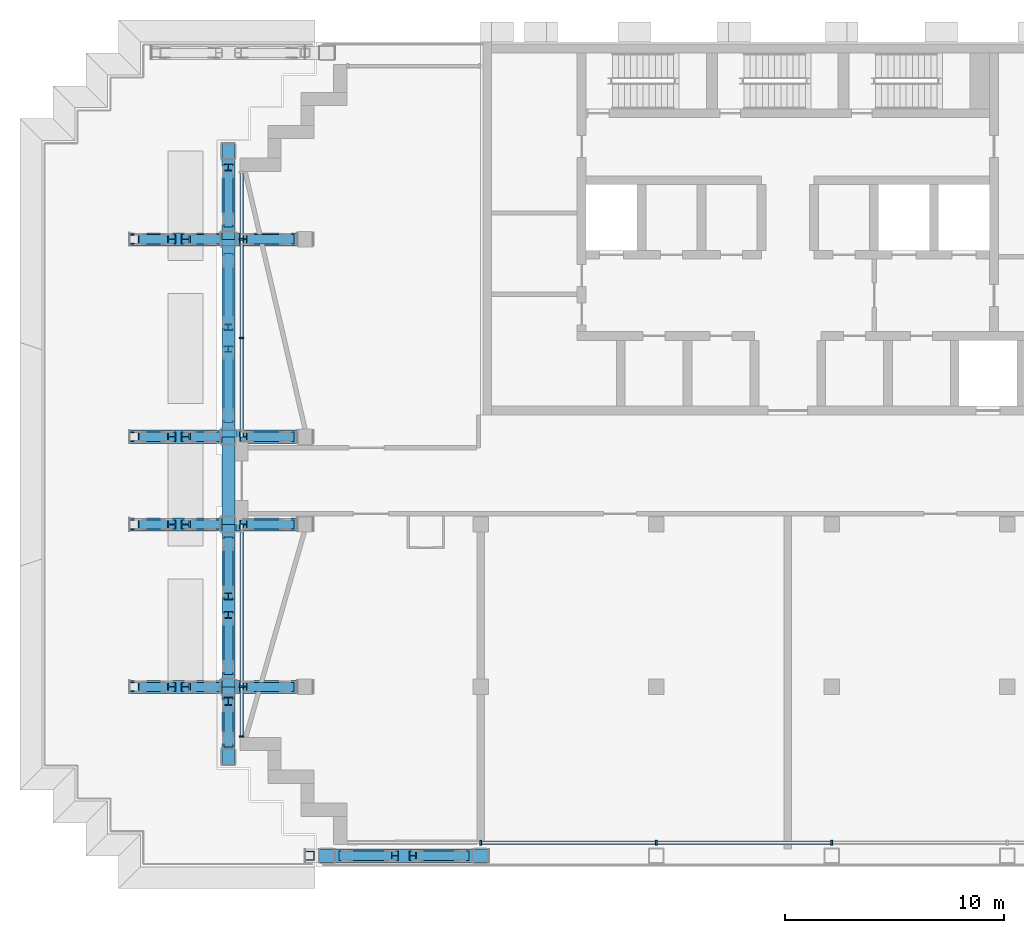
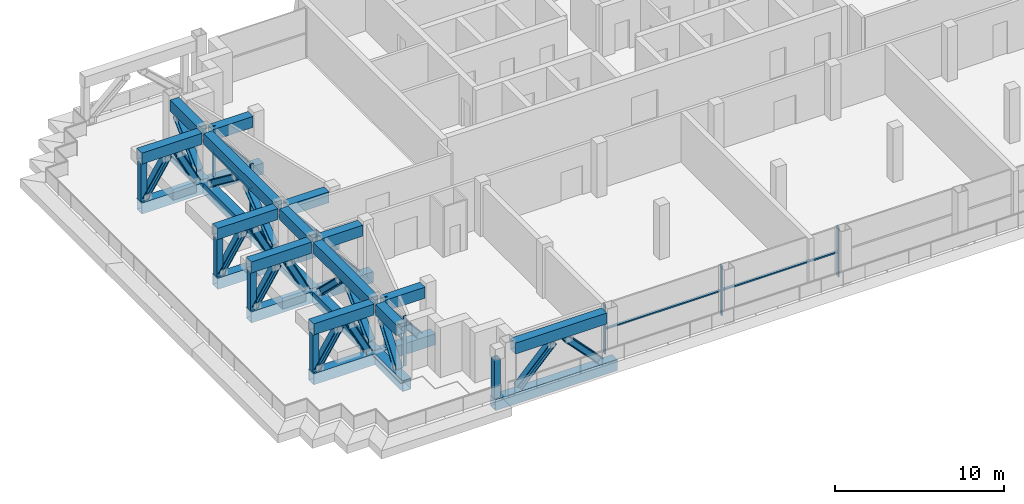
# One storey, part 2 of 21: 63 members, 3 elements without a shape of their own.
"""IFC4 building model written with IfcOpenShell, lengths in metres."""

import ifcopenshell
import ifcopenshell.guid

model = None  # the IFC model being written
_history = None  # IfcOwnerHistory: only IFC2X3 demands one
_inside = {}  # id of a spatial element -> (the spatial element, [elements in it])
_under = {}  # id of a project, library or spatial element -> (it, [spatial elements below it])
_declared = {}  # id of a project -> (the project, [libraries it declares])
_typed = {}  # id of a type object -> (the type object, [elements of that type])
_made_of = {}  # id of a material, layer set ... -> (it, [elements and type objects made of it])


def new_model(schema):
    """Start an empty IFC model of exactly this schema.

    Asked for "IFC4X3", IfcOpenShell would pick the latest addendum, in which some entities
    have other attributes; the version numbers below select the first issue.
    IFC2X3 requires an IfcOwnerHistory on every rooted entity: one is made here for all.
    """
    global model, _history
    if schema == "IFC4X3":
        model = ifcopenshell.file(schema_version=(4, 3, 0, 0))
    else:
        model = ifcopenshell.file(schema=schema)
    _inside.clear()
    _under.clear()
    _declared.clear()
    _typed.clear()
    _made_of.clear()
    _history = None
    if model.schema == "IFC2X3":
        org = make("IfcOrganization", Name="unknown")
        user = make(
            "IfcPersonAndOrganization",
            ThePerson=make("IfcPerson", FamilyName="unknown"),
            TheOrganization=org,
        )
        app = make(
            "IfcApplication",
            ApplicationDeveloper=org,
            Version="unknown",
            ApplicationFullName="unknown",
            ApplicationIdentifier="unknown",
        )
        _history = make(
            "IfcOwnerHistory",
            OwningUser=user,
            OwningApplication=app,
            ChangeAction="ADDED",
            CreationDate=0,
        )
    return model


def make(cls, **values):
    """One entity of the class cls with the attributes given. An attribute that is None is left unset."""
    return model.create_entity(
        cls, **{name: value for name, value in values.items() if value is not None}
    )


def rooted(cls, **values):
    """An entity with a GlobalId (a new one), such as an element, a storey or a relation."""
    return make(cls, GlobalId=ifcopenshell.guid.new(), OwnerHistory=_history, **values)


def si_unit(unit_type, name, prefix=None):
    """IfcSIUnit, for example si_unit("LENGTHUNIT", "METRE", prefix="MILLI")."""
    return make("IfcSIUnit", UnitType=unit_type, Prefix=prefix, Name=name)


def assignment(units):
    """IfcUnitAssignment: the units of a project."""
    return None if units is None else make("IfcUnitAssignment", Units=units)


def point(xyz):
    """IfcCartesianPoint."""
    return None if xyz is None else make("IfcCartesianPoint", Coordinates=xyz)


def direction(xyz):
    """IfcDirection."""
    return None if xyz is None else make("IfcDirection", DirectionRatios=xyz)


def frame(location, z_axis=None, x_axis=None):
    """IfcAxis2Placement3D, a coordinate frame: its origin and axes. An axis left out is left unset."""
    return make(
        "IfcAxis2Placement3D",
        Location=point(location),
        Axis=direction(z_axis),
        RefDirection=direction(x_axis),
    )


def frame_2d(location, x_axis=None):
    """IfcAxis2Placement2D, a coordinate frame in the plane: its origin and x axis."""
    return make(
        "IfcAxis2Placement2D", Location=point(location), RefDirection=direction(x_axis)
    )


def origin():
    """The frame at (0, 0, 0) with its axes left unset."""
    return frame((0.0, 0.0, 0.0))


def origin_2d():
    """The frame at (0, 0) in the plane with its x axis left unset."""
    return frame_2d((0.0, 0.0))


def place(relative_to, where):
    """IfcLocalPlacement: puts the frame where relative to a parent placement (None: the world)."""
    return make(
        "IfcLocalPlacement", PlacementRelTo=relative_to, RelativePlacement=where
    )


def context(
    kind, dimensions, precision=None, world=None, true_north=None, identifier=None
):
    """IfcGeometricRepresentationContext, for example the 3D "Model" context."""
    return make(
        "IfcGeometricRepresentationContext",
        ContextIdentifier=identifier,
        ContextType=kind,
        CoordinateSpaceDimension=dimensions,
        Precision=precision,
        WorldCoordinateSystem=world,
        TrueNorth=true_north,
    )


def subcontext(parent, identifier, kind, view, scale=None):
    """IfcGeometricRepresentationSubContext, for example "Body" below "Model"."""
    return make(
        "IfcGeometricRepresentationSubContext",
        ContextIdentifier=identifier,
        ContextType=kind,
        ParentContext=parent,
        TargetScale=scale,
        TargetView=view,
    )


def project(units=None, contexts=None):
    """IfcProject with its units and contexts."""
    return rooted(
        "IfcProject",
        Name="project",
        RepresentationContexts=contexts,
        UnitsInContext=assignment(units),
    )


def spatial(cls, under=None, at=None, **own):
    """A site, building, storey or space (cls), placed at a placement, below another one or the project."""
    s = rooted(cls, ObjectPlacement=at, **own)
    if under is not None:
        _under.setdefault(under.id(), (under, []))[1].append(s)
    return s


def profile(cls, at=None, kind="AREA", **sizes):
    """A parametric profile (cls). Its sizes go by their IFC names, for example OverallWidth=200.0."""
    return make(cls, ProfileType=kind, Position=at, **sizes)


def rectangle(**sizes):
    """IfcRectangleProfileDef."""
    return profile("IfcRectangleProfileDef", **sizes)


def hollow_rectangle(**sizes):
    """IfcRectangleHollowProfileDef."""
    return profile("IfcRectangleHollowProfileDef", **sizes)


def i_section(**sizes):
    """IfcIShapeProfileDef."""
    return profile("IfcIShapeProfileDef", **sizes)


def extrude(swept, where, along, depth):
    """IfcExtrudedAreaSolid: the profile swept, set in the frame where, extruded along a direction by depth."""
    return make(
        "IfcExtrudedAreaSolid",
        SweptArea=swept,
        Position=where,
        ExtrudedDirection=direction(along),
        Depth=depth,
    )


def shape(context_of_items, identifier, shape_type, items):
    """IfcShapeRepresentation: the items that make up one representation, for example the "Body"."""
    return make(
        "IfcShapeRepresentation",
        ContextOfItems=context_of_items,
        RepresentationIdentifier=identifier,
        RepresentationType=shape_type,
        Items=items,
    )


def material(Name=None, Category=None):
    """IfcMaterial."""
    return make("IfcMaterial", Name=Name, Category=Category)


def material_profile(
    of_material, cross_section, Name=None, Category=None, Priority=None
):
    """IfcMaterialProfile: a cross section and its material."""
    return make(
        "IfcMaterialProfile",
        Name=Name,
        Material=of_material,
        Profile=cross_section,
        Priority=Priority,
        Category=Category,
    )


def profile_set(profiles, Name=None, composite=None):
    """IfcMaterialProfileSet."""
    return make(
        "IfcMaterialProfileSet",
        Name=Name,
        MaterialProfiles=profiles,
        CompositeProfile=composite,
    )


def made_of(thing, what):
    """Note that an element or type object is made of a material, layer set ...; save() writes the relation."""
    if what is not None:
        _made_of.setdefault(what.id(), (what, []))[1].append(thing)
    return thing


def type_object(cls, material=None, **own):
    """A type object (cls), such as IfcWallType, which elements share."""
    return made_of(rooted(cls, **own), material)


def element(
    cls,
    number,
    at=None,
    inside=None,
    cuts=None,
    type_object=None,
    material=None,
    context=None,
    identifier="Body",
    shape_type=None,
    held_by="IfcProductDefinitionShape",
    body=None,
    shapes=None,
    **own,
):
    """One element of the class cls, such as IfcWall. Its Tag is "e" and its number.

    at: its placement. inside: the storey or other place that contains it. cuts: it is an
    opening in that element (IfcRelVoidsElement). A single representation is given by context,
    identifier, shape_type and body (its items); several are given by shapes. held_by: the class
    of the entity that holds the representations. save() writes the other relations.
    """
    e = rooted(cls, Tag="e%d" % number, ObjectPlacement=at, **own)
    if body is not None:
        shapes = [shape(context, identifier, shape_type, body)]
    if shapes is not None:
        e.Representation = make(held_by, Representations=shapes)
    if inside is not None:
        _inside.setdefault(inside.id(), (inside, []))[1].append(e)
    if cuts is not None:
        rooted(
            "IfcRelVoidsElement", RelatingBuildingElement=cuts, RelatedOpeningElement=e
        )
    if type_object is not None:
        _typed.setdefault(type_object.id(), (type_object, []))[1].append(e)
    return made_of(e, material)


def aggregate(whole, parts):
    """IfcRelAggregates: a whole, such as a stair, and the parts it consists of."""
    return rooted("IfcRelAggregates", RelatingObject=whole, RelatedObjects=parts)


def save(model, path):
    """Write the relations noted so far, then the file.

    IfcRelAggregates (storeys below a building ...), IfcRelContainedInSpatialStructure (elements
    in a storey), IfcRelDefinesByType, IfcRelAssociatesMaterial and IfcRelDeclares: one each for
    every whole, place, type object, material and project.
    """
    for whole, parts in _under.values():
        aggregate(whole, parts)
    for where, things in _inside.values():
        rooted(
            "IfcRelContainedInSpatialStructure",
            RelatedElements=things,
            RelatingStructure=where,
        )
    for kind, things in _typed.values():
        rooted("IfcRelDefinesByType", RelatedObjects=things, RelatingType=kind)
    for what, things in _made_of.values():
        rooted("IfcRelAssociatesMaterial", RelatedObjects=things, RelatingMaterial=what)
    for by, libraries in _declared.values():
        rooted("IfcRelDeclares", RelatingContext=by, RelatedDefinitions=libraries)
    model.write(path)


model = new_model("IFC4")

# Units and contexts
model_context = context("Model", 3, precision=1e-05, world=origin(), true_north=direction((0.0, 1.0)))
body_context = subcontext(model_context, "Body", "Model", "MODEL_VIEW")
ifc_project = project(units=[si_unit("LENGTHUNIT", "METRE"), si_unit("AREAUNIT", "SQUARE_METRE"), si_unit("VOLUMEUNIT", "CUBIC_METRE"), si_unit("PLANEANGLEUNIT", "RADIAN"), si_unit("MASSUNIT", "GRAM", prefix="KILO")], contexts=[model_context])

# Site, building, storey
site_placement = place(None, origin())
site = spatial("IfcSite", under=ifc_project, at=site_placement, CompositionType="ELEMENT")
building_placement = place(site_placement, origin())
building = spatial("IfcBuilding", under=site, at=building_placement, Name="Vidyagriha Tower", CompositionType="ELEMENT")
storey_placement = place(building_placement, frame((0.0, 0.0, 161.39990234375)))
storey = spatial("IfcBuildingStorey", under=building, at=storey_placement, Name="L41", CompositionType="ELEMENT", Elevation=161.39990234375)

# Curtain wall, members
ifc_material_1 = material(Name="Aluminium and glass curtain wall", Category="aluminium")
curtain_wall_type = type_object("IfcCurtainWallType", Name="Plant louvre wall", PredefinedType="USERDEFINED", material=ifc_material_1)
curtain_wall_1_placement = place(storey_placement, origin())
curtain_wall_1 = element("IfcCurtainWall", 1, at=curtain_wall_1_placement, inside=storey, type_object=curtain_wall_type, Name="CW7 plant louvre wall", ObjectType="STICK GLAZING", PredefinedType="USERDEFINED")
ifc_material_2 = material(Name="Aluminium black anodised", Category="aluminium")
ifc_material_profile_1 = material_profile(ifc_material_2, rectangle(XDim=0.219970703125, YDim=0.080078125, at=origin_2d()), Name="Mullion 80x220 black aluminium")
ifc_profile_set_1 = profile_set([ifc_material_profile_1], Name="Aluminium black anodised")
member_type_1 = type_object("IfcMemberType", Name="Mullion 80x220 black aluminium", PredefinedType="MULLION", material=ifc_profile_set_1)
member_1_placement = place(storey_placement, frame((-24.89990234375, 11.0, 0.0)))
member_1 = element("IfcMember", 2, at=member_1_placement, type_object=member_type_1, Name="CW7 mullion 2", PredefinedType="MULLION", context=body_context, shape_type="SweptSolid", body=[
    extrude(rectangle(XDim=0.219970703125, YDim=0.080078125, at=origin_2d()), origin(), (0.0, 0.0, 1.0), 3.6201171875),
])
member_2_placement = place(storey_placement, frame((-24.89990234375, 6.5, 0.0)))
member_2 = element("IfcMember", 3, at=member_2_placement, type_object=member_type_1, Name="CW7 mullion 3", PredefinedType="MULLION", context=body_context, shape_type="SweptSolid", body=[
    extrude(rectangle(XDim=0.219970703125, YDim=0.080078125, at=origin_2d()), origin(), (0.0, 0.0, 1.0), 3.6201171875),
])

curtain_wall_2_placement = place(storey_placement, origin())
curtain_wall_2 = element("IfcCurtainWall", 4, at=curtain_wall_2_placement, inside=storey, type_object=curtain_wall_type, Name="CW7 plant louvre wall", ObjectType="STICK GLAZING", PredefinedType="USERDEFINED")
member_3_placement = place(storey_placement, frame((-24.89990234375, -9.39990234375, 0.0)))
member_3 = element("IfcMember", 5, at=member_3_placement, type_object=member_type_1, Name="CW7 mullion 2", PredefinedType="MULLION", context=body_context, shape_type="SweptSolid", body=[
    extrude(rectangle(XDim=0.219970703125, YDim=0.080078125, at=origin_2d()), origin(), (0.0, 0.0, 1.0), 3.6201171875),
])
member_4_placement = place(storey_placement, frame((-24.89990234375, -11.659912109375, 0.0)))
member_4 = element("IfcMember", 6, at=member_4_placement, type_object=member_type_1, Name="CW7 mullion 3", PredefinedType="MULLION", context=body_context, shape_type="SweptSolid", body=[
    extrude(rectangle(XDim=0.219970703125, YDim=0.080078125, at=origin_2d()), origin(), (0.0, 0.0, 1.0), 3.6201171875),
])

curtain_wall_3_placement = place(storey_placement, origin())
curtain_wall_3 = element("IfcCurtainWall", 7, at=curtain_wall_3_placement, inside=storey, type_object=curtain_wall_type, Name="CW7 plant louvre wall", ObjectType="STICK GLAZING", PredefinedType="USERDEFINED")
member_5_placement = place(storey_placement, frame((-14.0, -16.5, 0.0), z_axis=(0.0, 0.0, 1.0), x_axis=(0.0, 1.0, 0.0)))
member_5 = element("IfcMember", 8, at=member_5_placement, type_object=member_type_1, Name="CW7 mullion 2", PredefinedType="MULLION", context=body_context, shape_type="SweptSolid", body=[
    extrude(rectangle(XDim=0.219970703125, YDim=0.080078125, at=origin_2d()), origin(), (0.0, 0.0, 1.0), 3.6201171875),
])
member_6_placement = place(storey_placement, frame((-6.0, -16.5, 0.0), z_axis=(0.0, 0.0, 1.0), x_axis=(0.0, 1.0, 0.0)))
member_6 = element("IfcMember", 9, at=member_6_placement, type_object=member_type_1, Name="CW7 mullion 3", PredefinedType="MULLION", context=body_context, shape_type="SweptSolid", body=[
    extrude(rectangle(XDim=0.219970703125, YDim=0.080078125, at=origin_2d()), origin(), (0.0, 0.0, 1.0), 3.6201171875),
])
member_7_placement = place(storey_placement, frame((2.0, -16.5, 0.0), z_axis=(0.0, 0.0, 1.0), x_axis=(0.0, 1.0, 0.0)))
member_7 = element("IfcMember", 10, at=member_7_placement, type_object=member_type_1, Name="CW7 mullion 4", PredefinedType="MULLION", context=body_context, shape_type="SweptSolid", body=[
    extrude(rectangle(XDim=0.219970703125, YDim=0.080078125, at=origin_2d()), origin(), (0.0, 0.0, 1.0), 3.6201171875),
])

# Members
ifc_material_3 = material(Name="Steel ASTM A572 Grade 50", Category="steel")
ifc_material_profile_2 = material_profile(ifc_material_3, hollow_rectangle(XDim=0.60009765625, YDim=0.800048828125, WallThickness=0.034912109375, at=origin_2d()), Name="BOX 800x600x35")
ifc_profile_set_2 = profile_set([ifc_material_profile_2], Name="Steel ASTM A572 Grade 50")
member_type_2 = type_object("IfcMemberType", Name="Transfer truss chord BOX 800x600x35", PredefinedType="CHORD", material=ifc_profile_set_2)
member_8_placement = place(storey_placement, frame((-22.0, -17.10009765625, -0.39990234375), z_axis=(1.0, 0.0, 0.0), x_axis=(0.0, 1.0, 0.0)))
element("IfcMember", 11, at=member_8_placement, inside=storey, type_object=member_type_2, Name="st-truss-L41-T00-B00", PredefinedType="CHORD", context=body_context, shape_type="SweptSolid", body=[
    extrude(hollow_rectangle(XDim=0.60009765625, YDim=0.800048828125, WallThickness=0.034912109375, at=origin_2d()), origin(), (0.0, 0.0, 1.0), 8.35009765625),
])
member_9_placement = place(storey_placement, frame((-20.630615234375, -17.10009765625, 3.22021484375), z_axis=(1.0, 0.0, 0.0), x_axis=(0.0, 1.0, 0.0)))
element("IfcMember", 12, at=member_9_placement, inside=storey, type_object=member_type_2, Name="st-truss-L41-T00-T01", PredefinedType="CHORD", context=body_context, shape_type="SweptSolid", body=[
    extrude(hollow_rectangle(XDim=0.60009765625, YDim=0.800048828125, WallThickness=0.034912109375, at=origin_2d()), origin(), (0.0, 0.0, 1.0), 6.26123046875),
])
member_10_placement = place(storey_placement, frame((-30.0, -9.39990234375, -0.39990234375), z_axis=(1.0, 0.0, 0.0), x_axis=(0.0, 1.0, 0.0)))
element("IfcMember", 13, at=member_10_placement, inside=storey, type_object=member_type_2, Name="st-truss-L41-T01-B00", PredefinedType="CHORD", context=body_context, shape_type="SweptSolid", body=[
    extrude(hollow_rectangle(XDim=0.60009765625, YDim=0.800048828125, WallThickness=0.034912109375, at=origin_2d()), origin(), (0.0, 0.0, 1.0), 8.35009765625),
])
member_11_placement = place(storey_placement, frame((-30.0, -9.39990234375, 3.22021484375), z_axis=(1.0, 0.0, 0.0), x_axis=(0.0, 1.0, 0.0)))
element("IfcMember", 14, at=member_11_placement, inside=storey, type_object=member_type_2, Name="st-truss-L41-T01-T00", PredefinedType="CHORD", context=body_context, shape_type="SweptSolid", body=[
    extrude(hollow_rectangle(XDim=0.60009765625, YDim=0.800048828125, WallThickness=0.034912109375, at=origin_2d()), origin(), (0.0, 0.0, 1.0), 4.130615234375),
])
member_12_placement = place(storey_placement, frame((-25.130615234375, -9.39990234375, 3.22021484375), z_axis=(1.0, 0.0, 0.0), x_axis=(0.0, 1.0, 0.0)))
element("IfcMember", 15, at=member_12_placement, inside=storey, type_object=member_type_2, Name="st-truss-L41-T01-T01", PredefinedType="CHORD", context=body_context, shape_type="SweptSolid", body=[
    extrude(hollow_rectangle(XDim=0.60009765625, YDim=0.800048828125, WallThickness=0.034912109375, at=origin_2d()), origin(), (0.0, 0.0, 1.0), 2.76123046875),
])
member_13_placement = place(storey_placement, frame((-30.0, -2.0, -0.39990234375), z_axis=(1.0, 0.0, 0.0), x_axis=(0.0, 1.0, 0.0)))
element("IfcMember", 16, at=member_13_placement, inside=storey, type_object=member_type_2, Name="st-truss-L41-T03-B00", PredefinedType="CHORD", context=body_context, shape_type="SweptSolid", body=[
    extrude(hollow_rectangle(XDim=0.60009765625, YDim=0.800048828125, WallThickness=0.034912109375, at=origin_2d()), origin(), (0.0, 0.0, 1.0), 8.35009765625),
])
member_14_placement = place(storey_placement, frame((-30.0, -2.0, 3.22021484375), z_axis=(1.0, 0.0, 0.0), x_axis=(0.0, 1.0, 0.0)))
element("IfcMember", 17, at=member_14_placement, inside=storey, type_object=member_type_2, Name="st-truss-L41-T03-T00", PredefinedType="CHORD", context=body_context, shape_type="SweptSolid", body=[
    extrude(hollow_rectangle(XDim=0.60009765625, YDim=0.800048828125, WallThickness=0.034912109375, at=origin_2d()), origin(), (0.0, 0.0, 1.0), 4.130615234375),
])
member_15_placement = place(storey_placement, frame((-25.14990234375, -2.0, 3.22021484375), z_axis=(1.0, 0.0, 0.0), x_axis=(0.0, 1.0, 0.0)))
element("IfcMember", 18, at=member_15_placement, inside=storey, type_object=member_type_2, Name="st-truss-L41-T03-T01", PredefinedType="CHORD", context=body_context, shape_type="SweptSolid", body=[
    extrude(hollow_rectangle(XDim=0.60009765625, YDim=0.800048828125, WallThickness=0.034912109375, at=origin_2d()), origin(), (0.0, 0.0, 1.0), 2.780517578125),
])
member_16_placement = place(storey_placement, frame((-30.0, 2.0, -0.39990234375), z_axis=(1.0, 0.0, 0.0), x_axis=(0.0, 1.0, 0.0)))
element("IfcMember", 19, at=member_16_placement, inside=storey, type_object=member_type_2, Name="st-truss-L41-T05-B00", PredefinedType="CHORD", context=body_context, shape_type="SweptSolid", body=[
    extrude(hollow_rectangle(XDim=0.60009765625, YDim=0.800048828125, WallThickness=0.034912109375, at=origin_2d()), origin(), (0.0, 0.0, 1.0), 8.35009765625),
])
member_17_placement = place(storey_placement, frame((-30.0, 2.0, 3.22021484375), z_axis=(1.0, 0.0, 0.0), x_axis=(0.0, 1.0, 0.0)))
element("IfcMember", 20, at=member_17_placement, inside=storey, type_object=member_type_2, Name="st-truss-L41-T05-T00", PredefinedType="CHORD", context=body_context, shape_type="SweptSolid", body=[
    extrude(hollow_rectangle(XDim=0.60009765625, YDim=0.800048828125, WallThickness=0.034912109375, at=origin_2d()), origin(), (0.0, 0.0, 1.0), 4.130615234375),
])
member_18_placement = place(storey_placement, frame((-25.14990234375, 2.0, 3.22021484375), z_axis=(1.0, 0.0, 0.0), x_axis=(0.0, 1.0, 0.0)))
element("IfcMember", 21, at=member_18_placement, inside=storey, type_object=member_type_2, Name="st-truss-L41-T05-T01", PredefinedType="CHORD", context=body_context, shape_type="SweptSolid", body=[
    extrude(hollow_rectangle(XDim=0.60009765625, YDim=0.800048828125, WallThickness=0.034912109375, at=origin_2d()), origin(), (0.0, 0.0, 1.0), 2.780517578125),
])
member_19_placement = place(storey_placement, frame((-30.0, 11.0, -0.39990234375), z_axis=(1.0, 0.0, 0.0), x_axis=(0.0, 1.0, 0.0)))
element("IfcMember", 22, at=member_19_placement, inside=storey, type_object=member_type_2, Name="st-truss-L41-T07-B00", PredefinedType="CHORD", context=body_context, shape_type="SweptSolid", body=[
    extrude(hollow_rectangle(XDim=0.60009765625, YDim=0.800048828125, WallThickness=0.034912109375, at=origin_2d()), origin(), (0.0, 0.0, 1.0), 8.35009765625),
])
member_20_placement = place(storey_placement, frame((-30.0, 11.0, 3.22021484375), z_axis=(1.0, 0.0, 0.0), x_axis=(0.0, 1.0, 0.0)))
element("IfcMember", 23, at=member_20_placement, inside=storey, type_object=member_type_2, Name="st-truss-L41-T07-T00", PredefinedType="CHORD", context=body_context, shape_type="SweptSolid", body=[
    extrude(hollow_rectangle(XDim=0.60009765625, YDim=0.800048828125, WallThickness=0.034912109375, at=origin_2d()), origin(), (0.0, 0.0, 1.0), 4.130615234375),
])
member_21_placement = place(storey_placement, frame((-25.130615234375, 11.0, 3.22021484375), z_axis=(1.0, 0.0, 0.0), x_axis=(0.0, 1.0, 0.0)))
element("IfcMember", 24, at=member_21_placement, inside=storey, type_object=member_type_2, Name="st-truss-L41-T07-T01", PredefinedType="CHORD", context=body_context, shape_type="SweptSolid", body=[
    extrude(hollow_rectangle(XDim=0.60009765625, YDim=0.800048828125, WallThickness=0.034912109375, at=origin_2d()), origin(), (0.0, 0.0, 1.0), 2.76123046875),
])
member_22_placement = place(storey_placement, frame((-25.5, -12.949951171875, -0.39990234375), z_axis=(0.0, 1.0, 0.0), x_axis=(-1.0, 0.0, 0.0)))
element("IfcMember", 25, at=member_22_placement, inside=storey, type_object=member_type_2, Name="st-truss-L41-T10-B00", PredefinedType="CHORD", context=body_context, shape_type="SweptSolid", body=[
    extrude(hollow_rectangle(XDim=0.60009765625, YDim=0.800048828125, WallThickness=0.034912109375, at=origin_2d()), origin(), (0.0, 0.0, 1.0), 3.550048828125),
])
member_23_placement = place(storey_placement, frame((-25.5, -12.23046875, 3.22021484375), z_axis=(0.0, 1.0, 0.0), x_axis=(-1.0, 0.0, 0.0)))
element("IfcMember", 26, at=member_23_placement, inside=storey, type_object=member_type_2, Name="st-truss-L41-T10-T00", PredefinedType="CHORD", context=body_context, shape_type="SweptSolid", body=[
    extrude(hollow_rectangle(XDim=0.60009765625, YDim=0.800048828125, WallThickness=0.034912109375, at=origin_2d()), origin(), (0.0, 0.0, 1.0), 2.4609375),
])
member_24_placement = place(storey_placement, frame((-25.5, -9.39990234375, -0.39990234375), z_axis=(0.0, 1.0, 0.0), x_axis=(-1.0, 0.0, 0.0)))
element("IfcMember", 27, at=member_24_placement, inside=storey, type_object=member_type_2, Name="st-truss-L41-T10-B01", PredefinedType="CHORD", context=body_context, shape_type="SweptSolid", body=[
    extrude(hollow_rectangle(XDim=0.60009765625, YDim=0.800048828125, WallThickness=0.034912109375, at=origin_2d()), origin(), (0.0, 0.0, 1.0), 7.39990234375),
])
member_25_placement = place(storey_placement, frame((-25.5, -9.030517578125, 3.22021484375), z_axis=(0.0, 1.0, 0.0), x_axis=(-1.0, 0.0, 0.0)))
element("IfcMember", 28, at=member_25_placement, inside=storey, type_object=member_type_2, Name="st-truss-L41-T10-T01", PredefinedType="CHORD", context=body_context, shape_type="SweptSolid", body=[
    extrude(hollow_rectangle(XDim=0.60009765625, YDim=0.800048828125, WallThickness=0.034912109375, at=origin_2d()), origin(), (0.0, 0.0, 1.0), 6.6611328125),
])
member_26_placement = place(storey_placement, frame((-25.5, -2.0, -0.39990234375), z_axis=(0.0, 1.0, 0.0), x_axis=(-1.0, 0.0, 0.0)))
element("IfcMember", 29, at=member_26_placement, inside=storey, type_object=member_type_2, Name="st-truss-L41-T10-B02", PredefinedType="CHORD", context=body_context, shape_type="SweptSolid", body=[
    extrude(hollow_rectangle(XDim=0.60009765625, YDim=0.800048828125, WallThickness=0.034912109375, at=origin_2d()), origin(), (0.0, 0.0, 1.0), 4.0),
])
member_27_placement = place(storey_placement, frame((-25.5, -1.630615234375, 3.22021484375), z_axis=(0.0, 1.0, 0.0), x_axis=(-1.0, 0.0, 0.0)))
element("IfcMember", 30, at=member_27_placement, inside=storey, type_object=member_type_2, Name="st-truss-L41-T10-T02", PredefinedType="CHORD", context=body_context, shape_type="SweptSolid", body=[
    extrude(hollow_rectangle(XDim=0.60009765625, YDim=0.800048828125, WallThickness=0.034912109375, at=origin_2d()), origin(), (0.0, 0.0, 1.0), 3.26123046875),
])
member_28_placement = place(storey_placement, frame((-25.5, 2.0, -0.39990234375), z_axis=(0.0, 1.0, 0.0), x_axis=(-1.0, 0.0, 0.0)))
element("IfcMember", 31, at=member_28_placement, inside=storey, type_object=member_type_2, Name="st-truss-L41-T10-B03", PredefinedType="CHORD", context=body_context, shape_type="SweptSolid", body=[
    extrude(hollow_rectangle(XDim=0.60009765625, YDim=0.800048828125, WallThickness=0.034912109375, at=origin_2d()), origin(), (0.0, 0.0, 1.0), 9.0),
])
member_29_placement = place(storey_placement, frame((-25.5, 2.369384765625, 3.22021484375), z_axis=(0.0, 1.0, 0.0), x_axis=(-1.0, 0.0, 0.0)))
element("IfcMember", 32, at=member_29_placement, inside=storey, type_object=member_type_2, Name="st-truss-L41-T10-T03", PredefinedType="CHORD", context=body_context, shape_type="SweptSolid", body=[
    extrude(hollow_rectangle(XDim=0.60009765625, YDim=0.800048828125, WallThickness=0.034912109375, at=origin_2d()), origin(), (0.0, 0.0, 1.0), 8.26123046875),
])
member_30_placement = place(storey_placement, frame((-25.5, 11.0, -0.39990234375), z_axis=(0.0, 1.0, 0.0), x_axis=(-1.0, 0.0, 0.0)))
element("IfcMember", 33, at=member_30_placement, inside=storey, type_object=member_type_2, Name="st-truss-L41-T10-B04", PredefinedType="CHORD", context=body_context, shape_type="SweptSolid", body=[
    extrude(hollow_rectangle(XDim=0.60009765625, YDim=0.800048828125, WallThickness=0.034912109375, at=origin_2d()), origin(), (0.0, 0.0, 1.0), 4.35009765625),
])
member_31_placement = place(storey_placement, frame((-25.5, 11.369384765625, 3.22021484375), z_axis=(0.0, 1.0, 0.0), x_axis=(-1.0, 0.0, 0.0)))
element("IfcMember", 34, at=member_31_placement, inside=storey, type_object=member_type_2, Name="st-truss-L41-T10-T04", PredefinedType="CHORD", context=body_context, shape_type="SweptSolid", body=[
    extrude(hollow_rectangle(XDim=0.60009765625, YDim=0.800048828125, WallThickness=0.034912109375, at=origin_2d()), origin(), (0.0, 0.0, 1.0), 3.26123046875),
])
ifc_material_4 = material(Name="Steel ASTM A913 Grade 65", Category="steel")
ifc_material_profile_3 = material_profile(ifc_material_4, i_section(OverallWidth=0.421630859375, OverallDepth=0.46484375, WebThickness=0.030029296875, FlangeThickness=0.052978515625, at=origin_2d()), Name="W14X398")
ifc_profile_set_3 = profile_set([ifc_material_profile_3], Name="Steel ASTM A913 Grade 65")
member_type_3 = type_object("IfcMemberType", Name="Transfer truss diagonal W14X398", PredefinedType="BRACE", material=ifc_profile_set_3)
for number, where, z_axis, x_axis, name in (
    (35, (-20.296142578125, -17.10009765625, 0.160888671875), (0.691589518359, 0.0, 0.72229075731), (0.0, 1.0, 0.0), "st-truss-L41-T00-D010"),
    (36, (-17.09619140625, -17.10009765625, 2.659423828125), (0.691589518359, 0.0, -0.72229075731), (0.0, 1.0, 0.0), "st-truss-L41-T00-D011"),
):
    element("IfcMember", number, at=place(storey_placement, frame(where, z_axis=z_axis, x_axis=x_axis)), inside=storey, type_object=member_type_3, Name=name, PredefinedType="BRACE", context=body_context, shape_type="SweptSolid", body=[
        extrude(i_section(OverallWidth=0.421630859375, OverallDepth=0.46484375, WebThickness=0.030029296875, FlangeThickness=0.052978515625, at=origin_2d()), origin(), (0.0, 0.0, 1.0), 3.459228515625),
    ])
member_32_placement = place(storey_placement, frame((-29.72021484375, -9.39990234375, 0.125244140625), z_axis=(0.538051190462, 0.0, 0.842912164132), x_axis=(0.0, 1.0, 0.0)))
element("IfcMember", 37, at=member_32_placement, inside=storey, type_object=member_type_3, Name="st-truss-L41-T01-D000", PredefinedType="BRACE", context=body_context, shape_type="SweptSolid", body=[
    extrude(i_section(OverallWidth=0.421630859375, OverallDepth=0.46484375, WebThickness=0.030029296875, FlangeThickness=0.052978515625, at=origin_2d()), origin(), (0.0, 0.0, 1.0), 3.048828125),
])
member_33_placement = place(storey_placement, frame((-27.4453125, -9.39990234375, 2.7138671875), z_axis=(0.457310382823, 0.0, -0.889307153779), x_axis=(0.0, 1.0, 0.0)))
element("IfcMember", 38, at=member_33_placement, inside=storey, type_object=member_type_3, Name="st-truss-L41-T01-D001", PredefinedType="BRACE", context=body_context, shape_type="SweptSolid", body=[
    extrude(i_section(OverallWidth=0.421630859375, OverallDepth=0.46484375, WebThickness=0.030029296875, FlangeThickness=0.052978515625, at=origin_2d()), origin(), (0.0, 0.0, 1.0), 2.931884765625),
])
member_34_placement = place(storey_placement, frame((-24.82177734375, -9.39990234375, 2.66943359375), z_axis=(0.648100412854, 0.0, -0.761554892872), x_axis=(0.0, 1.0, 0.0)))
element("IfcMember", 39, at=member_34_placement, inside=storey, type_object=member_type_3, Name="st-truss-L41-T01-D010", PredefinedType="BRACE", context=body_context, shape_type="SweptSolid", body=[
    extrude(i_section(OverallWidth=0.421630859375, OverallDepth=0.46484375, WebThickness=0.030029296875, FlangeThickness=0.052978515625, at=origin_2d()), origin(), (0.0, 0.0, 1.0), 3.307373046875),
])
member_35_placement = place(storey_placement, frame((-29.72021484375, -2.0, 0.125244140625), z_axis=(0.538051190462, 0.0, 0.842912164132), x_axis=(0.0, 1.0, 0.0)))
element("IfcMember", 40, at=member_35_placement, inside=storey, type_object=member_type_3, Name="st-truss-L41-T03-D000", PredefinedType="BRACE", context=body_context, shape_type="SweptSolid", body=[
    extrude(i_section(OverallWidth=0.421630859375, OverallDepth=0.46484375, WebThickness=0.030029296875, FlangeThickness=0.052978515625, at=origin_2d()), origin(), (0.0, 0.0, 1.0), 3.048828125),
])
member_36_placement = place(storey_placement, frame((-27.4453125, -2.0, 2.7138671875), z_axis=(0.457310382823, 0.0, -0.889307153779), x_axis=(0.0, 1.0, 0.0)))
element("IfcMember", 41, at=member_36_placement, inside=storey, type_object=member_type_3, Name="st-truss-L41-T03-D001", PredefinedType="BRACE", context=body_context, shape_type="SweptSolid", body=[
    extrude(i_section(OverallWidth=0.421630859375, OverallDepth=0.46484375, WebThickness=0.030029296875, FlangeThickness=0.052978515625, at=origin_2d()), origin(), (0.0, 0.0, 1.0), 2.931884765625),
])
member_37_placement = place(storey_placement, frame((-24.82177734375, -2.0, 2.66943359375), z_axis=(0.648100412854, 0.0, -0.761554892872), x_axis=(0.0, 1.0, 0.0)))
element("IfcMember", 42, at=member_37_placement, inside=storey, type_object=member_type_3, Name="st-truss-L41-T03-D010", PredefinedType="BRACE", context=body_context, shape_type="SweptSolid", body=[
    extrude(i_section(OverallWidth=0.421630859375, OverallDepth=0.46484375, WebThickness=0.030029296875, FlangeThickness=0.052978515625, at=origin_2d()), origin(), (0.0, 0.0, 1.0), 3.307373046875),
])
member_38_placement = place(storey_placement, frame((-29.72021484375, 2.0, 0.125244140625), z_axis=(0.538051190462, 0.0, 0.842912164132), x_axis=(0.0, 1.0, 0.0)))
element("IfcMember", 43, at=member_38_placement, inside=storey, type_object=member_type_3, Name="st-truss-L41-T05-D000", PredefinedType="BRACE", context=body_context, shape_type="SweptSolid", body=[
    extrude(i_section(OverallWidth=0.421630859375, OverallDepth=0.46484375, WebThickness=0.030029296875, FlangeThickness=0.052978515625, at=origin_2d()), origin(), (0.0, 0.0, 1.0), 3.048828125),
])
member_39_placement = place(storey_placement, frame((-27.4453125, 2.0, 2.7138671875), z_axis=(0.457310382823, 0.0, -0.889307153779), x_axis=(0.0, 1.0, 0.0)))
element("IfcMember", 44, at=member_39_placement, inside=storey, type_object=member_type_3, Name="st-truss-L41-T05-D001", PredefinedType="BRACE", context=body_context, shape_type="SweptSolid", body=[
    extrude(i_section(OverallWidth=0.421630859375, OverallDepth=0.46484375, WebThickness=0.030029296875, FlangeThickness=0.052978515625, at=origin_2d()), origin(), (0.0, 0.0, 1.0), 2.931884765625),
])
member_40_placement = place(storey_placement, frame((-24.82177734375, 2.0, 2.66943359375), z_axis=(0.648100412854, 0.0, -0.761554892872), x_axis=(0.0, 1.0, 0.0)))
element("IfcMember", 45, at=member_40_placement, inside=storey, type_object=member_type_3, Name="st-truss-L41-T05-D010", PredefinedType="BRACE", context=body_context, shape_type="SweptSolid", body=[
    extrude(i_section(OverallWidth=0.421630859375, OverallDepth=0.46484375, WebThickness=0.030029296875, FlangeThickness=0.052978515625, at=origin_2d()), origin(), (0.0, 0.0, 1.0), 3.307373046875),
])
member_41_placement = place(storey_placement, frame((-29.72021484375, 11.0, 0.125244140625), z_axis=(0.538051190462, 0.0, 0.842912164132), x_axis=(0.0, 1.0, 0.0)))
element("IfcMember", 46, at=member_41_placement, inside=storey, type_object=member_type_3, Name="st-truss-L41-T07-D000", PredefinedType="BRACE", context=body_context, shape_type="SweptSolid", body=[
    extrude(i_section(OverallWidth=0.421630859375, OverallDepth=0.46484375, WebThickness=0.030029296875, FlangeThickness=0.052978515625, at=origin_2d()), origin(), (0.0, 0.0, 1.0), 3.048828125),
])
member_42_placement = place(storey_placement, frame((-27.4453125, 11.0, 2.7138671875), z_axis=(0.457310382823, 0.0, -0.889307153779), x_axis=(0.0, 1.0, 0.0)))
element("IfcMember", 47, at=member_42_placement, inside=storey, type_object=member_type_3, Name="st-truss-L41-T07-D001", PredefinedType="BRACE", context=body_context, shape_type="SweptSolid", body=[
    extrude(i_section(OverallWidth=0.421630859375, OverallDepth=0.46484375, WebThickness=0.030029296875, FlangeThickness=0.052978515625, at=origin_2d()), origin(), (0.0, 0.0, 1.0), 2.931884765625),
])
member_43_placement = place(storey_placement, frame((-24.82177734375, 11.0, 2.66943359375), z_axis=(0.648100412854, 0.0, -0.761554892872), x_axis=(0.0, 1.0, 0.0)))
element("IfcMember", 48, at=member_43_placement, inside=storey, type_object=member_type_3, Name="st-truss-L41-T07-D010", PredefinedType="BRACE", context=body_context, shape_type="SweptSolid", body=[
    extrude(i_section(OverallWidth=0.421630859375, OverallDepth=0.46484375, WebThickness=0.030029296875, FlangeThickness=0.052978515625, at=origin_2d()), origin(), (0.0, 0.0, 1.0), 3.307373046875),
])
member_44_placement = place(storey_placement, frame((-25.5, -11.946533203125, 0.138916015625), z_axis=(0.0, 0.597211329132, 0.802083928499), x_axis=(-1.0, 0.0, 0.0)))
element("IfcMember", 49, at=member_44_placement, inside=storey, type_object=member_type_3, Name="st-truss-L41-T10-D000", PredefinedType="BRACE", context=body_context, shape_type="SweptSolid", body=[
    extrude(i_section(OverallWidth=0.421630859375, OverallDepth=0.46484375, WebThickness=0.030029296875, FlangeThickness=0.052978515625, at=origin_2d()), origin(), (0.0, 0.0, 1.0), 3.169921875),
])
member_45_placement = place(storey_placement, frame((-25.5, -8.6787109375, 0.166748046875), z_axis=(0.0, 0.716927451047, 0.697147781992), x_axis=(-1.0, 0.0, 0.0)))
element("IfcMember", 50, at=member_45_placement, inside=storey, type_object=member_type_3, Name="st-truss-L41-T10-D010", PredefinedType="BRACE", context=body_context, shape_type="SweptSolid", body=[
    extrude(i_section(OverallWidth=0.421630859375, OverallDepth=0.46484375, WebThickness=0.030029296875, FlangeThickness=0.052978515625, at=origin_2d()), origin(), (0.0, 0.0, 1.0), 3.567138671875),
])
member_46_placement = place(storey_placement, frame((-25.5, -5.27880859375, 2.653564453125), z_axis=(0.0, 0.716960712323, -0.697113575384), x_axis=(-1.0, 0.0, 0.0)))
element("IfcMember", 51, at=member_46_placement, inside=storey, type_object=member_type_3, Name="st-truss-L41-T10-D011", PredefinedType="BRACE", context=body_context, shape_type="SweptSolid", body=[
    extrude(i_section(OverallWidth=0.421630859375, OverallDepth=0.46484375, WebThickness=0.030029296875, FlangeThickness=0.052978515625, at=origin_2d()), origin(), (0.0, 0.0, 1.0), 3.5673828125),
])
for number, where, z_axis, x_axis, name in (
    (52, (-25.5, 2.79248046875, 0.18505859375), (0.0, 0.795359620045, 0.606137834822), (-1.0, 0.0, 0.0), "st-truss-L41-T10-D030"),
    (53, (-25.5, 6.992431640625, 2.63525390625), (0.0, 0.795359620045, -0.606137834822), (-1.0, 0.0, 0.0), "st-truss-L41-T10-D031"),
):
    element("IfcMember", number, at=place(storey_placement, frame(where, z_axis=z_axis, x_axis=x_axis)), inside=storey, type_object=member_type_3, Name=name, PredefinedType="BRACE", context=body_context, shape_type="SweptSolid", body=[
        extrude(i_section(OverallWidth=0.421630859375, OverallDepth=0.46484375, WebThickness=0.030029296875, FlangeThickness=0.052978515625, at=origin_2d()), origin(), (0.0, 0.0, 1.0), 4.042236328125),
    ])
member_47_placement = place(storey_placement, frame((-25.5, 11.72119140625, 0.166748046875), z_axis=(0.0, 0.716960712323, 0.697113575384), x_axis=(-1.0, 0.0, 0.0)))
element("IfcMember", 54, at=member_47_placement, inside=storey, type_object=member_type_3, Name="st-truss-L41-T10-D040", PredefinedType="BRACE", context=body_context, shape_type="SweptSolid", body=[
    extrude(i_section(OverallWidth=0.421630859375, OverallDepth=0.46484375, WebThickness=0.030029296875, FlangeThickness=0.052978515625, at=origin_2d()), origin(), (0.0, 0.0, 1.0), 3.5673828125),
])
ifc_material_5 = material(Name="Steel ASTM A500 Grade C", Category="steel")
ifc_material_profile_4 = material_profile(ifc_material_5, hollow_rectangle(XDim=0.406494140625, YDim=0.406494140625, WallThickness=0.017822265625, at=origin_2d()), Name="HSS16X16X3/4")
ifc_profile_set_4 = profile_set([ifc_material_profile_4], Name="Steel ASTM A500 Grade C")
member_type_4 = type_object("IfcMemberType", Name="Transfer truss post HSS16X16X3/4", PredefinedType="POST", material=ifc_profile_set_4)
for number, where, name in (
    (55, (-21.796875, -17.10009765625, 0.01953125), "st-truss-L41-T00-P00"),
    (56, (-29.796875, -9.39990234375, 0.01953125), "st-truss-L41-T01-P00"),
    (57, (-29.796875, -2.0, 0.01953125), "st-truss-L41-T03-P00"),
    (58, (-29.796875, 2.0, 0.01953125), "st-truss-L41-T05-P00"),
    (59, (-29.796875, 11.0, 0.01953125), "st-truss-L41-T07-P00"),
):
    element("IfcMember", number, at=place(storey_placement, frame(where)), inside=storey, type_object=member_type_4, Name=name, PredefinedType="POST", context=body_context, shape_type="SweptSolid", body=[
        extrude(hollow_rectangle(XDim=0.406494140625, YDim=0.406494140625, WallThickness=0.017822265625, at=origin_2d()), origin(), (0.0, 0.0, 1.0), 2.781005859375),
    ])

# Member
ifc_material_6 = material(Name="Aluminium black anodised", Category="aluminium")
ifc_material_profile_5 = material_profile(ifc_material_6, rectangle(XDim=0.159912109375, YDim=0.10009765625, at=origin_2d()), Name="Transom 100x160 black aluminium")
ifc_profile_set_5 = profile_set([ifc_material_profile_5], Name="Aluminium black anodised")
member_type_5 = type_object("IfcMemberType", Name="Transom 100x160 black aluminium", PredefinedType="USERDEFINED", material=ifc_profile_set_5)
member_48_placement = place(storey_placement, frame((-24.89990234375, 14.02001953125, 1.81005859375), z_axis=(0.0, -1.0, 0.0), x_axis=(1.0, 0.0, 0.0)))
member_48 = element("IfcMember", 60, at=member_48_placement, type_object=member_type_5, Name="CW7 transom 1.1", ObjectType="TRANSOM", PredefinedType="USERDEFINED", context=body_context, shape_type="SweptSolid", body=[
    extrude(rectangle(XDim=0.159912109375, YDim=0.10009765625, at=origin_2d()), origin(), (0.0, 0.0, 1.0), 2.97998046875),
])

member_49_placement = place(storey_placement, frame((-24.89990234375, 10.9599609375, 1.81005859375), z_axis=(0.0, -1.0, 0.0), x_axis=(1.0, 0.0, 0.0)))
member_49 = element("IfcMember", 61, at=member_49_placement, type_object=member_type_5, Name="CW7 transom 2.1", ObjectType="TRANSOM", PredefinedType="USERDEFINED", context=body_context, shape_type="SweptSolid", body=[
    extrude(rectangle(XDim=0.159912109375, YDim=0.10009765625, at=origin_2d()), origin(), (0.0, 0.0, 1.0), 4.419921875),
])

member_50_placement = place(storey_placement, frame((-24.89990234375, 6.4599609375, 1.81005859375), z_axis=(0.0, -1.0, 0.0), x_axis=(1.0, 0.0, 0.0)))
member_50 = element("IfcMember", 62, at=member_50_placement, type_object=member_type_5, Name="CW7 transom 3.1", ObjectType="TRANSOM", PredefinedType="USERDEFINED", context=body_context, shape_type="SweptSolid", body=[
    extrude(rectangle(XDim=0.159912109375, YDim=0.10009765625, at=origin_2d()), origin(), (0.0, 0.0, 1.0), 4.4599609375),
])

aggregate(curtain_wall_1, [member_1, member_2, member_48, member_49, member_50])

member_51_placement = place(storey_placement, frame((-24.89990234375, -2.0, 1.81005859375), z_axis=(0.0, -1.0, 0.0), x_axis=(1.0, 0.0, 0.0)))
member_51 = element("IfcMember", 63, at=member_51_placement, type_object=member_type_5, Name="CW7 transom 1.1", ObjectType="TRANSOM", PredefinedType="USERDEFINED", context=body_context, shape_type="SweptSolid", body=[
    extrude(rectangle(XDim=0.159912109375, YDim=0.10009765625, at=origin_2d()), origin(), (0.0, 0.0, 1.0), 7.360107421875),
])

member_52_placement = place(storey_placement, frame((-24.89990234375, -9.43994140625, 1.81005859375), z_axis=(0.0, -1.0, 0.0), x_axis=(1.0, 0.0, 0.0)))
member_52 = element("IfcMember", 64, at=member_52_placement, type_object=member_type_5, Name="CW7 transom 2.1", ObjectType="TRANSOM", PredefinedType="USERDEFINED", context=body_context, shape_type="SweptSolid", body=[
    extrude(rectangle(XDim=0.159912109375, YDim=0.10009765625, at=origin_2d()), origin(), (0.0, 0.0, 1.0), 2.18017578125),
])

aggregate(curtain_wall_2, [member_3, member_4, member_51, member_52])

member_53_placement = place(storey_placement, frame((-13.9599609375, -16.5, 1.81005859375), z_axis=(1.0, 0.0, 0.0), x_axis=(0.0, 1.0, 0.0)))
member_53 = element("IfcMember", 65, at=member_53_placement, type_object=member_type_5, Name="CW7 transom 2.1", ObjectType="TRANSOM", PredefinedType="USERDEFINED", context=body_context, shape_type="SweptSolid", body=[
    extrude(rectangle(XDim=0.159912109375, YDim=0.10009765625, at=origin_2d()), origin(), (0.0, 0.0, 1.0), 7.919921875),
])

member_54_placement = place(storey_placement, frame((-5.9599609375, -16.5, 1.81005859375), z_axis=(1.0, 0.0, 0.0), x_axis=(0.0, 1.0, 0.0)))
member_54 = element("IfcMember", 66, at=member_54_placement, type_object=member_type_5, Name="CW7 transom 3.1", ObjectType="TRANSOM", PredefinedType="USERDEFINED", context=body_context, shape_type="SweptSolid", body=[
    extrude(rectangle(XDim=0.159912109375, YDim=0.10009765625, at=origin_2d()), origin(), (0.0, 0.0, 1.0), 7.919921875),
])

aggregate(curtain_wall_3, [member_5, member_6, member_7, member_53, member_54])

save(model, "model.ifc")
